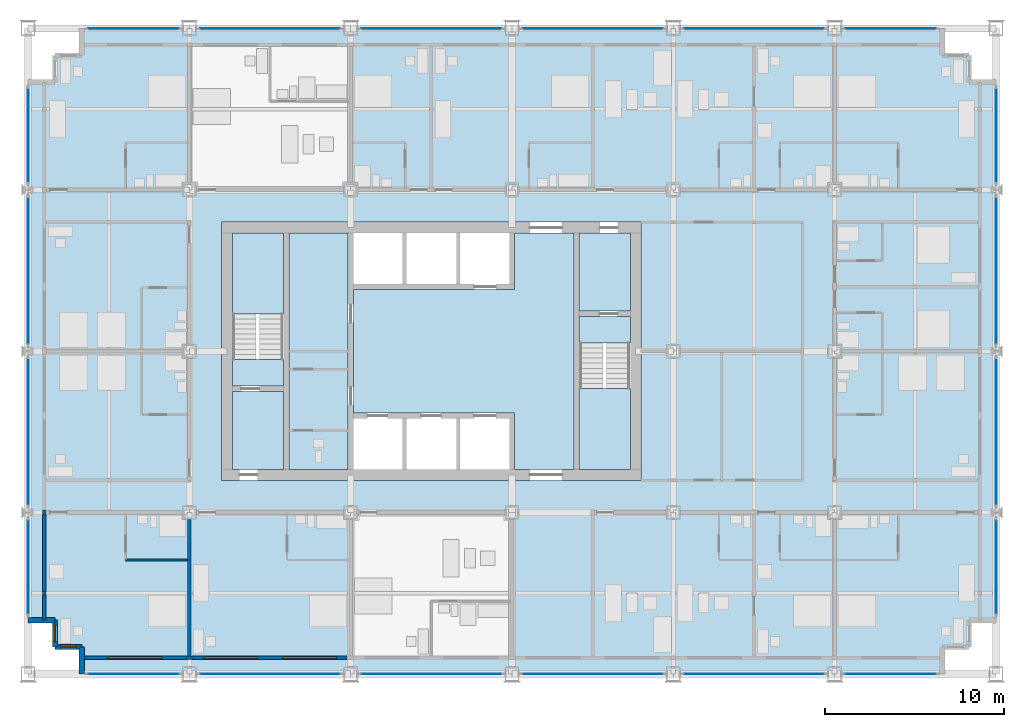
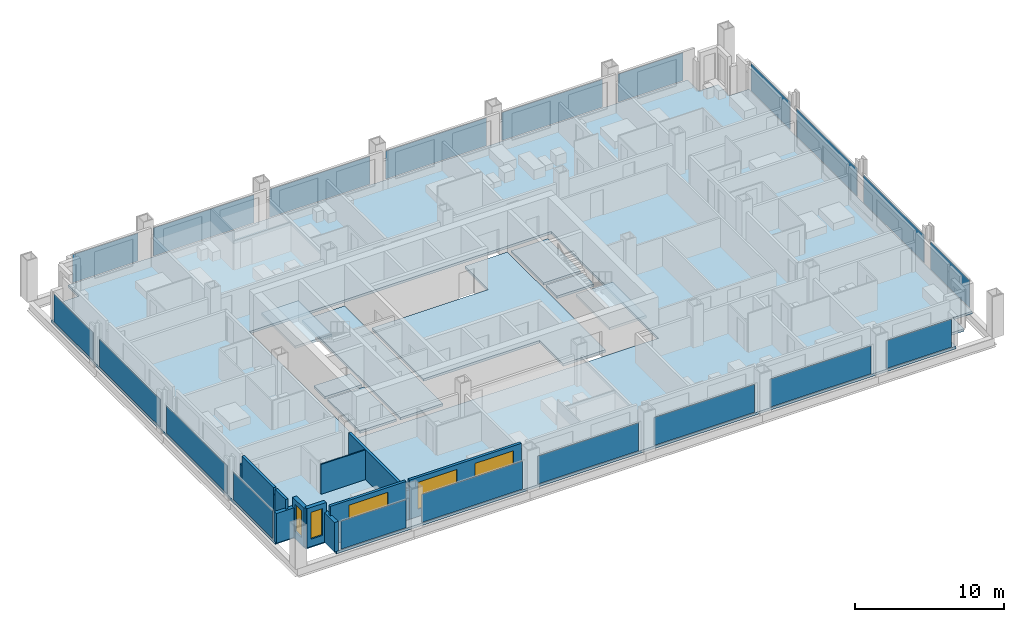
# One storey, part 9 of 18: 20 plates, 13 walls, 9 slabs, 5 windows, 5 openings, 22 elements without a shape of their own.
"""IFC4 building model written with IfcOpenShell, lengths in metres."""

from ifc_helpers import new_model, si_unit, direction, frame, frame_2d, origin, origin_2d, place, context, subcontext, project, spatial, polyline, rectangle, outline, extrude, material, layer, layer_set, type_object, element, fill, aggregate, save


model = new_model("IFC4")

# Units and contexts
model_context = context("Model", 3, precision=1e-05, world=origin(), true_north=direction((0.0, 1.0)))
body_context = subcontext(model_context, "Body", "Model", "MODEL_VIEW")
ifc_project = project(units=[si_unit("LENGTHUNIT", "METRE"), si_unit("AREAUNIT", "SQUARE_METRE"), si_unit("VOLUMEUNIT", "CUBIC_METRE"), si_unit("PLANEANGLEUNIT", "RADIAN"), si_unit("MASSUNIT", "GRAM", prefix="KILO")], contexts=[model_context])

# Site, building, storey
site_placement = place(None, origin())
site = spatial("IfcSite", under=ifc_project, at=site_placement, CompositionType="ELEMENT")
building_placement = place(site_placement, origin())
building = spatial("IfcBuilding", under=site, at=building_placement, Name="Loomwork Tower", CompositionType="ELEMENT")
storey_placement = place(building_placement, frame((0.0, 0.0, 79.0)))
storey = spatial("IfcBuildingStorey", under=building, at=storey_placement, Name="L20", CompositionType="ELEMENT", Elevation=79.0)

# Slabs
ifc_material_1 = material(Name="Concrete 5000 psi (34 MPa) on composite metal deck", Category="concrete")
ifc_layer_1 = layer(ifc_material_1, 0.199951171875)
ifc_layer_set_1 = layer_set([ifc_layer_1], Name="Floor slab 200")
slab_type_1 = type_object("IfcSlabType", Name="Floor slab 200", PredefinedType="FLOOR", material=ifc_layer_set_1)
slab_1_placement = place(storey_placement, frame((0.0, 0.0, -0.199951171875)))
element("IfcSlab", 1, at=slab_1_placement, inside=storey, type_object=slab_type_1, Name="Floor slab L20", PredefinedType="FLOOR", context=body_context, shape_type="SweptSolid", body=[
    extrude(outline(polyline([(3.0, 1.5), (1.5, 1.5), (1.5, 3.0), (0.0, 3.0), (0.0, 33.0), (1.5, 33.0), (1.5, 34.5), (3.0, 34.5), (3.0, 36.0), (51.0, 36.0), (51.0, 34.5), (52.5, 34.5), (52.5, 33.0), (54.0, 33.0), (54.0, 3.0), (52.5, 3.0), (52.5, 1.5), (51.0, 1.5), (51.0, 0.0), (3.0, 0.0), (3.0, 1.5)]), holes=[polyline([(10.800048828125, 11.39990234375), (10.800048828125, 11.39990234375), (10.800048828125, 10.800048828125), (34.199951171875, 10.800048828125), (34.199951171875, 11.39990234375), (34.199951171875, 11.39990234375), (34.199951171875, 24.60009765625), (34.199951171875, 25.199951171875), (10.800048828125, 25.199951171875), (10.800048828125, 24.60009765625), (10.800048828125, 11.39990234375)])]), origin(), (0.0, 0.0, 1.0), 0.199951171875),
])
slab_2_placement = place(storey_placement, frame((0.0, 0.0, -0.199951171875)))
element("IfcSlab", 2, at=slab_2_placement, inside=storey, type_object=slab_type_1, Name="Floor slab L20", PredefinedType="FLOOR", context=body_context, shape_type="SweptSolid", body=[
    extrude(outline(polyline([(30.449951171875, 24.60009765625), (30.449951171875, 11.39990234375), (27.14990234375, 11.39990234375), (27.14990234375, 14.25), (27.14990234375, 14.550048828125), (18.14990234375, 14.550048828125), (18.14990234375, 21.449951171875), (27.14990234375, 21.449951171875), (27.14990234375, 21.75), (27.14990234375, 24.60009765625), (30.449951171875, 24.60009765625)])), origin(), (0.0, 0.0, 1.0), 0.199951171875),
])
slab_3_placement = place(storey_placement, frame((0.0, 0.0, -0.199951171875)))
element("IfcSlab", 3, at=slab_3_placement, inside=storey, type_object=slab_type_1, Name="Floor slab L20", PredefinedType="FLOOR", context=body_context, shape_type="SweptSolid", body=[
    extrude(outline(polyline([(14.550048828125, 11.39990234375), (14.550048828125, 24.60009765625), (17.85009765625, 24.60009765625), (17.85009765625, 11.39990234375), (14.550048828125, 11.39990234375)])), origin(), (0.0, 0.0, 1.0), 0.199951171875),
])
slab_4_placement = place(storey_placement, frame((0.0, 0.0, -0.199951171875)))
element("IfcSlab", 4, at=slab_4_placement, inside=storey, type_object=slab_type_1, Name="Floor slab L20", PredefinedType="FLOOR", context=body_context, shape_type="SweptSolid", body=[
    extrude(outline(polyline([(33.60009765625, 20.25), (30.75, 20.25), (30.75, 24.60009765625), (33.60009765625, 24.60009765625), (33.60009765625, 20.25)])), origin(), (0.0, 0.0, 1.0), 0.199951171875),
])
slab_5_placement = place(storey_placement, frame((0.0, 0.0, -0.199951171875)))
element("IfcSlab", 5, at=slab_5_placement, inside=storey, type_object=slab_type_1, Name="Floor slab L20", PredefinedType="FLOOR", context=body_context, shape_type="SweptSolid", body=[
    extrude(outline(polyline([(14.25, 15.75), (14.25, 11.39990234375), (11.39990234375, 11.39990234375), (11.39990234375, 15.75), (14.25, 15.75)])), origin(), (0.0, 0.0, 1.0), 0.199951171875),
])

# Curtain wall, plate
ifc_material_2 = material(Name="Aluminium curtain wall frame", Category="aluminium")
curtain_wall_type = type_object("IfcCurtainWallType", Name="Outer skin glazing hotel", PredefinedType="NOTDEFINED", material=ifc_material_2)
curtain_wall_1_placement = place(storey_placement, origin())
curtain_wall_1 = element("IfcCurtainWall", 6, at=curtain_wall_1_placement, inside=storey, type_object=curtain_wall_type, Name="Outer skin glazing hotel cw/S-0", PredefinedType="NOTDEFINED")
ifc_material_3 = material(Name="Clear laminated glass", Category="glass")
ifc_layer_2 = layer(ifc_material_3, 0.02392578125)
ifc_layer_set_2 = layer_set([ifc_layer_2], Name="Outer skin glazing hotel panel")
plate_type = type_object("IfcPlateType", Name="Outer skin glazing hotel panel", PredefinedType="CURTAIN_PANEL", material=ifc_layer_set_2)
plate_1_placement = place(storey_placement, frame((5.875, 0.0, 0.06494140625), z_axis=(0.0, 0.0, 1.0), x_axis=(1.0, 0.0, 0.0)))
plate_1 = element("IfcPlate", 7, at=plate_1_placement, type_object=plate_type, Name="CW1 panel 1.1", PredefinedType="CURTAIN_PANEL", context=body_context, shape_type="SweptSolid", body=[
    extrude(rectangle(XDim=5.050048828125, YDim=0.02392578125, at=origin_2d()), origin(), (0.0, 0.0, 1.0), 2.290283203125),
])
aggregate(curtain_wall_1, [plate_1])

curtain_wall_2_placement = place(storey_placement, origin())
curtain_wall_2 = element("IfcCurtainWall", 8, at=curtain_wall_2_placement, inside=storey, type_object=curtain_wall_type, Name="Outer skin glazing hotel cw/S-9", PredefinedType="NOTDEFINED")
plate_2_placement = place(storey_placement, frame((13.5, 0.0, 0.06494140625), z_axis=(0.0, 0.0, 1.0), x_axis=(1.0, 0.0, 0.0)))
plate_2 = element("IfcPlate", 9, at=plate_2_placement, type_object=plate_type, Name="CW1 panel 1.1", PredefinedType="CURTAIN_PANEL", context=body_context, shape_type="SweptSolid", body=[
    extrude(rectangle(XDim=7.800048828125, YDim=0.02392578125, at=origin_2d()), origin(), (0.0, 0.0, 1.0), 2.290283203125),
])
aggregate(curtain_wall_2, [plate_2])

curtain_wall_3_placement = place(storey_placement, origin())
curtain_wall_3 = element("IfcCurtainWall", 10, at=curtain_wall_3_placement, inside=storey, type_object=curtain_wall_type, Name="Outer skin glazing hotel cw/S-18", PredefinedType="NOTDEFINED")
plate_3_placement = place(storey_placement, frame((22.5, 0.0, 0.06494140625), z_axis=(0.0, 0.0, 1.0), x_axis=(1.0, 0.0, 0.0)))
plate_3 = element("IfcPlate", 11, at=plate_3_placement, type_object=plate_type, Name="CW1 panel 1.1", PredefinedType="CURTAIN_PANEL", context=body_context, shape_type="SweptSolid", body=[
    extrude(rectangle(XDim=7.800048828125, YDim=0.02392578125, at=origin_2d()), origin(), (0.0, 0.0, 1.0), 2.290283203125),
])
aggregate(curtain_wall_3, [plate_3])

curtain_wall_4_placement = place(storey_placement, origin())
curtain_wall_4 = element("IfcCurtainWall", 12, at=curtain_wall_4_placement, inside=storey, type_object=curtain_wall_type, Name="Outer skin glazing hotel cw/S-27", PredefinedType="NOTDEFINED")
plate_4_placement = place(storey_placement, frame((31.5, 0.0, 0.06494140625), z_axis=(0.0, 0.0, 1.0), x_axis=(1.0, 0.0, 0.0)))
plate_4 = element("IfcPlate", 13, at=plate_4_placement, type_object=plate_type, Name="CW1 panel 1.1", PredefinedType="CURTAIN_PANEL", context=body_context, shape_type="SweptSolid", body=[
    extrude(rectangle(XDim=7.800048828125, YDim=0.02392578125, at=origin_2d()), origin(), (0.0, 0.0, 1.0), 2.290283203125),
])
aggregate(curtain_wall_4, [plate_4])

curtain_wall_5_placement = place(storey_placement, origin())
curtain_wall_5 = element("IfcCurtainWall", 14, at=curtain_wall_5_placement, inside=storey, type_object=curtain_wall_type, Name="Outer skin glazing hotel cw/S-36", PredefinedType="NOTDEFINED")
plate_5_placement = place(storey_placement, frame((40.5, 0.0, 0.06494140625), z_axis=(0.0, 0.0, 1.0), x_axis=(1.0, 0.0, 0.0)))
plate_5 = element("IfcPlate", 15, at=plate_5_placement, type_object=plate_type, Name="CW1 panel 1.1", PredefinedType="CURTAIN_PANEL", context=body_context, shape_type="SweptSolid", body=[
    extrude(rectangle(XDim=7.800048828125, YDim=0.02392578125, at=origin_2d()), origin(), (0.0, 0.0, 1.0), 2.290283203125),
])
aggregate(curtain_wall_5, [plate_5])

curtain_wall_6_placement = place(storey_placement, origin())
curtain_wall_6 = element("IfcCurtainWall", 16, at=curtain_wall_6_placement, inside=storey, type_object=curtain_wall_type, Name="Outer skin glazing hotel cw/S-45", PredefinedType="NOTDEFINED")
plate_6_placement = place(storey_placement, frame((48.125, 0.0, 0.06494140625), z_axis=(0.0, 0.0, 1.0), x_axis=(1.0, 0.0, 0.0)))
plate_6 = element("IfcPlate", 17, at=plate_6_placement, type_object=plate_type, Name="CW1 panel 1.1", PredefinedType="CURTAIN_PANEL", context=body_context, shape_type="SweptSolid", body=[
    extrude(rectangle(XDim=5.050048828125, YDim=0.02392578125, at=origin_2d()), origin(), (0.0, 0.0, 1.0), 2.290283203125),
])
aggregate(curtain_wall_6, [plate_6])

curtain_wall_7_placement = place(storey_placement, origin())
curtain_wall_7 = element("IfcCurtainWall", 18, at=curtain_wall_7_placement, inside=storey, type_object=curtain_wall_type, Name="Outer skin glazing hotel cw/N-0", PredefinedType="NOTDEFINED")
plate_7_placement = place(storey_placement, frame((5.875, 36.0, 0.06494140625), z_axis=(0.0, 0.0, 1.0), x_axis=(-1.0, 0.0, 0.0)))
plate_7 = element("IfcPlate", 19, at=plate_7_placement, type_object=plate_type, Name="CW1 panel 1.1", PredefinedType="CURTAIN_PANEL", context=body_context, shape_type="SweptSolid", body=[
    extrude(rectangle(XDim=5.050048828125, YDim=0.02392578125, at=origin_2d()), origin(), (0.0, 0.0, 1.0), 2.290283203125),
])
aggregate(curtain_wall_7, [plate_7])

curtain_wall_8_placement = place(storey_placement, origin())
curtain_wall_8 = element("IfcCurtainWall", 20, at=curtain_wall_8_placement, inside=storey, type_object=curtain_wall_type, Name="Outer skin glazing hotel cw/N-9", PredefinedType="NOTDEFINED")
plate_8_placement = place(storey_placement, frame((13.5, 36.0, 0.06494140625), z_axis=(0.0, 0.0, 1.0), x_axis=(-1.0, 0.0, 0.0)))
plate_8 = element("IfcPlate", 21, at=plate_8_placement, type_object=plate_type, Name="CW1 panel 1.1", PredefinedType="CURTAIN_PANEL", context=body_context, shape_type="SweptSolid", body=[
    extrude(rectangle(XDim=7.800048828125, YDim=0.02392578125, at=origin_2d()), origin(), (0.0, 0.0, 1.0), 2.290283203125),
])
aggregate(curtain_wall_8, [plate_8])

curtain_wall_9_placement = place(storey_placement, origin())
curtain_wall_9 = element("IfcCurtainWall", 22, at=curtain_wall_9_placement, inside=storey, type_object=curtain_wall_type, Name="Outer skin glazing hotel cw/N-18", PredefinedType="NOTDEFINED")
plate_9_placement = place(storey_placement, frame((22.5, 36.0, 0.06494140625), z_axis=(0.0, 0.0, 1.0), x_axis=(-1.0, 0.0, 0.0)))
plate_9 = element("IfcPlate", 23, at=plate_9_placement, type_object=plate_type, Name="CW1 panel 1.1", PredefinedType="CURTAIN_PANEL", context=body_context, shape_type="SweptSolid", body=[
    extrude(rectangle(XDim=7.800048828125, YDim=0.02392578125, at=origin_2d()), origin(), (0.0, 0.0, 1.0), 2.290283203125),
])
aggregate(curtain_wall_9, [plate_9])

curtain_wall_10_placement = place(storey_placement, origin())
curtain_wall_10 = element("IfcCurtainWall", 24, at=curtain_wall_10_placement, inside=storey, type_object=curtain_wall_type, Name="Outer skin glazing hotel cw/N-27", PredefinedType="NOTDEFINED")
plate_10_placement = place(storey_placement, frame((31.5, 36.0, 0.06494140625), z_axis=(0.0, 0.0, 1.0), x_axis=(-1.0, 0.0, 0.0)))
plate_10 = element("IfcPlate", 25, at=plate_10_placement, type_object=plate_type, Name="CW1 panel 1.1", PredefinedType="CURTAIN_PANEL", context=body_context, shape_type="SweptSolid", body=[
    extrude(rectangle(XDim=7.800048828125, YDim=0.02392578125, at=origin_2d()), origin(), (0.0, 0.0, 1.0), 2.290283203125),
])
aggregate(curtain_wall_10, [plate_10])

curtain_wall_11_placement = place(storey_placement, origin())
curtain_wall_11 = element("IfcCurtainWall", 26, at=curtain_wall_11_placement, inside=storey, type_object=curtain_wall_type, Name="Outer skin glazing hotel cw/N-36", PredefinedType="NOTDEFINED")
plate_11_placement = place(storey_placement, frame((40.5, 36.0, 0.06494140625), z_axis=(0.0, 0.0, 1.0), x_axis=(-1.0, 0.0, 0.0)))
plate_11 = element("IfcPlate", 27, at=plate_11_placement, type_object=plate_type, Name="CW1 panel 1.1", PredefinedType="CURTAIN_PANEL", context=body_context, shape_type="SweptSolid", body=[
    extrude(rectangle(XDim=7.800048828125, YDim=0.02392578125, at=origin_2d()), origin(), (0.0, 0.0, 1.0), 2.290283203125),
])
aggregate(curtain_wall_11, [plate_11])

curtain_wall_12_placement = place(storey_placement, origin())
curtain_wall_12 = element("IfcCurtainWall", 28, at=curtain_wall_12_placement, inside=storey, type_object=curtain_wall_type, Name="Outer skin glazing hotel cw/N-45", PredefinedType="NOTDEFINED")
plate_12_placement = place(storey_placement, frame((48.125, 36.0, 0.06494140625), z_axis=(0.0, 0.0, 1.0), x_axis=(-1.0, 0.0, 0.0)))
plate_12 = element("IfcPlate", 29, at=plate_12_placement, type_object=plate_type, Name="CW1 panel 1.1", PredefinedType="CURTAIN_PANEL", context=body_context, shape_type="SweptSolid", body=[
    extrude(rectangle(XDim=5.050048828125, YDim=0.02392578125, at=origin_2d()), origin(), (0.0, 0.0, 1.0), 2.290283203125),
])
aggregate(curtain_wall_12, [plate_12])

curtain_wall_13_placement = place(storey_placement, origin())
curtain_wall_13 = element("IfcCurtainWall", 30, at=curtain_wall_13_placement, inside=storey, type_object=curtain_wall_type, Name="Outer skin glazing hotel cw/W-0", PredefinedType="NOTDEFINED")
plate_13_placement = place(storey_placement, frame((0.0, 5.96142578125, 0.06494140625), z_axis=(0.0, 0.0, 1.0), x_axis=(0.0, -1.0, 0.0)))
plate_13 = element("IfcPlate", 31, at=plate_13_placement, type_object=plate_type, Name="CW1 panel 1.1", PredefinedType="CURTAIN_PANEL", context=body_context, shape_type="SweptSolid", body=[
    extrude(rectangle(XDim=5.22265625, YDim=0.02392578125, at=origin_2d()), origin(), (0.0, 0.0, 1.0), 2.290283203125),
])
aggregate(curtain_wall_13, [plate_13])

curtain_wall_14_placement = place(storey_placement, origin())
curtain_wall_14 = element("IfcCurtainWall", 32, at=curtain_wall_14_placement, inside=storey, type_object=curtain_wall_type, Name="Outer skin glazing hotel cw/W-9", PredefinedType="NOTDEFINED")
plate_14_placement = place(storey_placement, frame((0.0, 13.5, 0.06494140625), z_axis=(0.0, 0.0, 1.0), x_axis=(0.0, -1.0, 0.0)))
plate_14 = element("IfcPlate", 33, at=plate_14_placement, type_object=plate_type, Name="CW1 panel 1.1", PredefinedType="CURTAIN_PANEL", context=body_context, shape_type="SweptSolid", body=[
    extrude(rectangle(XDim=8.1455078125, YDim=0.02392578125, at=origin_2d()), origin(), (0.0, 0.0, 1.0), 2.290283203125),
])
aggregate(curtain_wall_14, [plate_14])

curtain_wall_15_placement = place(storey_placement, origin())
curtain_wall_15 = element("IfcCurtainWall", 34, at=curtain_wall_15_placement, inside=storey, type_object=curtain_wall_type, Name="Outer skin glazing hotel cw/W-18", PredefinedType="NOTDEFINED")
plate_15_placement = place(storey_placement, frame((0.0, 22.5, 0.06494140625), z_axis=(0.0, 0.0, 1.0), x_axis=(0.0, -1.0, 0.0)))
plate_15 = element("IfcPlate", 35, at=plate_15_placement, type_object=plate_type, Name="CW1 panel 1.1", PredefinedType="CURTAIN_PANEL", context=body_context, shape_type="SweptSolid", body=[
    extrude(rectangle(XDim=8.1455078125, YDim=0.02392578125, at=origin_2d()), origin(), (0.0, 0.0, 1.0), 2.290283203125),
])
aggregate(curtain_wall_15, [plate_15])

curtain_wall_16_placement = place(storey_placement, origin())
curtain_wall_16 = element("IfcCurtainWall", 36, at=curtain_wall_16_placement, inside=storey, type_object=curtain_wall_type, Name="Outer skin glazing hotel cw/W-27", PredefinedType="NOTDEFINED")
plate_16_placement = place(storey_placement, frame((0.0, 30.03857421875, 0.06494140625), z_axis=(0.0, 0.0, 1.0), x_axis=(0.0, -1.0, 0.0)))
plate_16 = element("IfcPlate", 37, at=plate_16_placement, type_object=plate_type, Name="CW1 panel 1.1", PredefinedType="CURTAIN_PANEL", context=body_context, shape_type="SweptSolid", body=[
    extrude(rectangle(XDim=5.22265625, YDim=0.02392578125, at=origin_2d()), origin(), (0.0, 0.0, 1.0), 2.290283203125),
])
aggregate(curtain_wall_16, [plate_16])

curtain_wall_17_placement = place(storey_placement, origin())
curtain_wall_17 = element("IfcCurtainWall", 38, at=curtain_wall_17_placement, inside=storey, type_object=curtain_wall_type, Name="Outer skin glazing hotel cw/E-0", PredefinedType="NOTDEFINED")
plate_17_placement = place(storey_placement, frame((54.0, 5.96142578125, 0.06494140625), z_axis=(0.0, 0.0, 1.0), x_axis=(0.0, 1.0, 0.0)))
plate_17 = element("IfcPlate", 39, at=plate_17_placement, type_object=plate_type, Name="CW1 panel 1.1", PredefinedType="CURTAIN_PANEL", context=body_context, shape_type="SweptSolid", body=[
    extrude(rectangle(XDim=5.22265625, YDim=0.02392578125, at=origin_2d()), origin(), (0.0, 0.0, 1.0), 2.290283203125),
])
aggregate(curtain_wall_17, [plate_17])

curtain_wall_18_placement = place(storey_placement, origin())
curtain_wall_18 = element("IfcCurtainWall", 40, at=curtain_wall_18_placement, inside=storey, type_object=curtain_wall_type, Name="Outer skin glazing hotel cw/E-9", PredefinedType="NOTDEFINED")
plate_18_placement = place(storey_placement, frame((54.0, 13.5, 0.06494140625), z_axis=(0.0, 0.0, 1.0), x_axis=(0.0, 1.0, 0.0)))
plate_18 = element("IfcPlate", 41, at=plate_18_placement, type_object=plate_type, Name="CW1 panel 1.1", PredefinedType="CURTAIN_PANEL", context=body_context, shape_type="SweptSolid", body=[
    extrude(rectangle(XDim=8.1455078125, YDim=0.02392578125, at=origin_2d()), origin(), (0.0, 0.0, 1.0), 2.290283203125),
])
aggregate(curtain_wall_18, [plate_18])

curtain_wall_19_placement = place(storey_placement, origin())
curtain_wall_19 = element("IfcCurtainWall", 42, at=curtain_wall_19_placement, inside=storey, type_object=curtain_wall_type, Name="Outer skin glazing hotel cw/E-18", PredefinedType="NOTDEFINED")
plate_19_placement = place(storey_placement, frame((54.0, 22.5, 0.06494140625), z_axis=(0.0, 0.0, 1.0), x_axis=(0.0, 1.0, 0.0)))
plate_19 = element("IfcPlate", 43, at=plate_19_placement, type_object=plate_type, Name="CW1 panel 1.1", PredefinedType="CURTAIN_PANEL", context=body_context, shape_type="SweptSolid", body=[
    extrude(rectangle(XDim=8.1455078125, YDim=0.02392578125, at=origin_2d()), origin(), (0.0, 0.0, 1.0), 2.290283203125),
])
aggregate(curtain_wall_19, [plate_19])

curtain_wall_20_placement = place(storey_placement, origin())
curtain_wall_20 = element("IfcCurtainWall", 44, at=curtain_wall_20_placement, inside=storey, type_object=curtain_wall_type, Name="Outer skin glazing hotel cw/E-27", PredefinedType="NOTDEFINED")
plate_20_placement = place(storey_placement, frame((54.0, 30.03857421875, 0.06494140625), z_axis=(0.0, 0.0, 1.0), x_axis=(0.0, 1.0, 0.0)))
plate_20 = element("IfcPlate", 45, at=plate_20_placement, type_object=plate_type, Name="CW1 panel 1.1", PredefinedType="CURTAIN_PANEL", context=body_context, shape_type="SweptSolid", body=[
    extrude(rectangle(XDim=5.22265625, YDim=0.02392578125, at=origin_2d()), origin(), (0.0, 0.0, 1.0), 2.290283203125),
])
aggregate(curtain_wall_20, [plate_20])

# Stair, slabs
ifc_material_4 = material(Name="Concrete 5000 psi (34 MPa) precast stair", Category="concrete")
stair_type_1 = type_object("IfcStairType", Name="Stair ST-A 20 risers 2850 wide", PredefinedType="HALF_TURN_STAIR", material=ifc_material_4)
stair_1_placement = place(storey_placement, origin())
stair_1 = element("IfcStair", 46, at=stair_1_placement, inside=storey, type_object=stair_type_1, Name="Stair A L20", PredefinedType="HALF_TURN_STAIR")
ifc_material_5 = material(Name="Concrete 5000 psi (34 MPa)", Category="concrete")
ifc_layer_3 = layer(ifc_material_5, 0.199951171875)
ifc_layer_set_3 = layer_set([ifc_layer_3], Name="Stair landing 200")
slab_type_2 = type_object("IfcSlabType", Name="Stair landing 200", PredefinedType="LANDING", material=ifc_layer_set_3)
slab_6_placement = place(storey_placement, frame((0.0, 0.0, -0.199951171875)))
slab_6 = element("IfcSlab", 47, at=slab_6_placement, type_object=slab_type_2, Name="ST-A landing 1", PredefinedType="LANDING", context=body_context, shape_type="SweptSolid", body=[
    extrude(outline(polyline([(11.39990234375, 16.050048828125), (14.25, 16.050048828125), (14.25, 17.550048828125), (11.39990234375, 17.550048828125), (11.39990234375, 16.050048828125)])), origin(), (0.0, 0.0, 1.0), 0.199951171875),
])
slab_7_placement = place(storey_placement, frame((0.0, 0.0, 1.5)))
slab_7 = element("IfcSlab", 48, at=slab_7_placement, type_object=slab_type_2, Name="ST-A landing 2", PredefinedType="LANDING", context=body_context, shape_type="SweptSolid", body=[
    extrude(outline(polyline([(11.39990234375, 20.070068359375), (14.25, 20.070068359375), (14.25, 24.60009765625), (11.39990234375, 24.60009765625), (11.39990234375, 20.070068359375)])), origin(), (0.0, 0.0, 1.0), 0.199951171875),
])
aggregate(stair_1, [slab_6, slab_7])

ifc_material_6 = material(Name="Concrete 5000 psi (34 MPa) precast stair", Category="concrete")
stair_type_2 = type_object("IfcStairType", Name="Stair ST-B 20 risers 2850 wide", PredefinedType="HALF_TURN_STAIR", material=ifc_material_6)
stair_2_placement = place(storey_placement, origin())
stair_2 = element("IfcStair", 49, at=stair_2_placement, inside=storey, type_object=stair_type_2, Name="Stair B L20", PredefinedType="HALF_TURN_STAIR")
slab_8_placement = place(storey_placement, frame((0.0, 0.0, -0.199951171875)))
slab_8 = element("IfcSlab", 50, at=slab_8_placement, type_object=slab_type_2, Name="ST-B landing 1", PredefinedType="LANDING", context=body_context, shape_type="SweptSolid", body=[
    extrude(outline(polyline([(30.75, 18.449951171875), (33.60009765625, 18.449951171875), (33.60009765625, 19.949951171875), (30.75, 19.949951171875), (30.75, 18.449951171875)])), origin(), (0.0, 0.0, 1.0), 0.199951171875),
])
slab_9_placement = place(storey_placement, frame((0.0, 0.0, 1.5)))
slab_9 = element("IfcSlab", 51, at=slab_9_placement, type_object=slab_type_2, Name="ST-B landing 2", PredefinedType="LANDING", context=body_context, shape_type="SweptSolid", body=[
    extrude(outline(polyline([(30.75, 11.39990234375), (33.60009765625, 11.39990234375), (33.60009765625, 15.929931640625), (30.75, 15.929931640625), (30.75, 11.39990234375)])), origin(), (0.0, 0.0, 1.0), 0.199951171875),
])
aggregate(stair_2, [slab_8, slab_9])

# Walls
ifc_material_7 = material(Name="Cement board on steel studs", Category="steel")
ifc_layer_4 = layer(ifc_material_7, 0.10009765625)
ifc_layer_set_4 = layer_set([ifc_layer_4], Name="En-suite partition 100")
wall_type_1 = type_object("IfcWallType", Name="En-suite partition 100", PredefinedType="PARTITIONING", material=ifc_layer_set_4)
wall_1_placement = place(storey_placement, frame((5.449951171875, 6.35009765625, 0.0), z_axis=(0.0, 0.0, 1.0), x_axis=(1.0, 0.0, 0.0)))
element("IfcWall", 52, at=wall_1_placement, inside=storey, type_object=wall_type_1, Name="En-suite wall L20 room 1", PredefinedType="PARTITIONING", context=body_context, shape_type="SweptSolid", body=[
    extrude(rectangle(XDim=3.449951171875, YDim=0.10009765625, at=frame_2d((1.72509765625, 0.0))), origin(), (0.0, 0.0, 1.0), 2.43798828125),
])
ifc_material_8 = material(Name="Gypsum board on steel studs, acoustic", Category="steel")
ifc_layer_5 = layer(ifc_material_8, 0.199951171875)
ifc_layer_set_5 = layer_set([ifc_layer_5], Name="Guest room party wall 200")
wall_type_2 = type_object("IfcWallType", Name="Guest room party wall 200", PredefinedType="PARTITIONING", material=ifc_layer_set_5)
wall_2_placement = place(storey_placement, frame((9.0, 8.60009765625, 0.0), z_axis=(0.0, 0.0, 1.0), x_axis=(0.0, -1.0, 0.0)))
element("IfcWall", 53, at=wall_2_placement, inside=storey, type_object=wall_type_2, Name="Guest room party wall S 9", PredefinedType="PARTITIONING", context=body_context, shape_type="SweptSolid", body=[
    extrude(rectangle(XDim=7.60009765625, YDim=0.199951171875, at=frame_2d((3.800048828125, 0.0))), origin(), (0.0, 0.0, 1.0), 2.43798828125),
])

# Wall, opening, window
ifc_material_9 = material(Name="Insulated steel stud wall with gypsum lining", Category="steel")
ifc_layer_6 = layer(ifc_material_9, 0.199951171875)
ifc_layer_set_6 = layer_set([ifc_layer_6], Name="Inner skin wall 200")
wall_type_3 = type_object("IfcWallType", Name="Inner skin wall 200", PredefinedType="SOLIDWALL", material=ifc_layer_set_6)
wall_3_placement = place(storey_placement, frame((3.0, 0.89990234375, 0.0), z_axis=(0.0, 0.0, 1.0), x_axis=(1.0, 0.0, 0.0)))
wall_3 = element("IfcWall", 54, at=wall_3_placement, inside=storey, type_object=wall_type_3, Name="Inner skin wall S", PredefinedType="SOLIDWALL", context=body_context, shape_type="SweptSolid", body=[
    extrude(rectangle(XDim=5.86474609375, YDim=0.199951171875, at=frame_2d((2.932373046875, 0.0))), origin(), (0.0, 0.0, 1.0), 3.199951171875),
])
opening_1_placement = place(wall_3_placement, frame((1.449951171875, 0.0, 0.60009765625)))
opening_1 = element("IfcOpeningElement", 55, at=opening_1_placement, cuts=wall_3, Name="Opening CH1", PredefinedType="OPENING", context=body_context, shape_type="SweptSolid", body=[
    extrude(rectangle(XDim=3.0, YDim=2.199951171875, at=frame_2d((1.5, 1.10009765625))), frame((0.0, 0.10986328125, 0.0), z_axis=(0.0, -1.0, 0.0), x_axis=(1.0, 0.0, 0.0)), (0.0, 0.0, 1.0), 0.219970703125),
])
ifc_material_10 = material(Name="Aluminium frame with clear insulated glass", Category="aluminium")
window_type_1 = type_object("IfcWindowType", Name="Chicago window 3000", PartitioningType="TRIPLE_PANEL_VERTICAL", PredefinedType="WINDOW", material=ifc_material_10)
window_1_placement = place(opening_1_placement, origin())
window_1 = element("IfcWindow", 56, at=window_1_placement, inside=storey, type_object=window_type_1, Name="Chicago window L20 bay 1", OverallHeight=2.199951171875, OverallWidth=3.0, PartitioningType="TRIPLE_PANEL_VERTICAL", PredefinedType="WINDOW", context=body_context, shape_type="SweptSolid", body=[
    extrude(rectangle(XDim=3.0, YDim=2.199951171875, at=frame_2d((1.5, 1.10009765625))), frame((0.0, 0.030029296875, 0.0), z_axis=(0.0, -1.0, 0.0), x_axis=(1.0, 0.0, 0.0)), (0.0, 0.0, 1.0), 0.06005859375),
])
fill(opening_1, window_1)

# Walls
wall_4_placement = place(storey_placement, frame((0.89990234375, 3.0, 0.0), z_axis=(0.0, 0.0, 1.0), x_axis=(0.0, 1.0, 0.0)))
element("IfcWall", 57, at=wall_4_placement, inside=storey, type_object=wall_type_3, Name="Inner skin wall W", PredefinedType="SOLIDWALL", context=body_context, shape_type="SweptSolid", body=[
    extrude(rectangle(XDim=1.392578125, YDim=0.199951171875, at=frame_2d((0.6962890625, 0.0))), origin(), (0.0, 0.0, 1.0), 3.199951171875),
])
wall_5_placement = place(storey_placement, frame((8.86474609375, 0.89990234375, 0.0), z_axis=(0.0, 0.0, 1.0), x_axis=(1.0, 0.0, 0.0)))
element("IfcWall", 58, at=wall_5_placement, inside=storey, type_object=wall_type_3, Name="Inner skin wall S bay 2", PredefinedType="SOLIDWALL", context=body_context, shape_type="SweptSolid", body=[
    extrude(rectangle(XDim=0.2705078125, YDim=0.199951171875, at=frame_2d((0.13525390625, 0.0))), origin(), (0.0, 0.0, 1.0), 2.43798828125),
])

# Wall, openings, windows
wall_6_placement = place(storey_placement, frame((9.13525390625, 0.89990234375, 0.0), z_axis=(0.0, 0.0, 1.0), x_axis=(1.0, 0.0, 0.0)))
wall_6 = element("IfcWall", 59, at=wall_6_placement, inside=storey, type_object=wall_type_3, Name="Inner skin wall S bay 3", PredefinedType="SOLIDWALL", context=body_context, shape_type="SweptSolid", body=[
    extrude(rectangle(XDim=8.6708984375, YDim=0.199951171875, at=frame_2d((4.33544921875, 0.0))), origin(), (0.0, 0.0, 1.0), 3.199951171875),
])
opening_2_placement = place(wall_6_placement, frame((0.664794921875, 0.0, 0.60009765625)))
opening_2 = element("IfcOpeningElement", 60, at=opening_2_placement, cuts=wall_6, Name="Opening CH1", PredefinedType="OPENING", context=body_context, shape_type="SweptSolid", body=[
    extrude(rectangle(XDim=3.0, YDim=2.199951171875, at=frame_2d((1.5, 1.10009765625))), frame((0.0, 0.10986328125, 0.0), z_axis=(0.0, -1.0, 0.0), x_axis=(1.0, 0.0, 0.0)), (0.0, 0.0, 1.0), 0.219970703125),
])
opening_3_placement = place(wall_6_placement, frame((5.064697265625, 0.0, 0.60009765625)))
opening_3 = element("IfcOpeningElement", 61, at=opening_3_placement, cuts=wall_6, Name="Opening CH1", PredefinedType="OPENING", context=body_context, shape_type="SweptSolid", body=[
    extrude(rectangle(XDim=3.0, YDim=2.199951171875, at=frame_2d((1.5, 1.10009765625))), frame((0.0, 0.10986328125, 0.0), z_axis=(0.0, -1.0, 0.0), x_axis=(1.0, 0.0, 0.0)), (0.0, 0.0, 1.0), 0.219970703125),
])
window_2_placement = place(opening_2_placement, origin())
window_2 = element("IfcWindow", 62, at=window_2_placement, inside=storey, type_object=window_type_1, Name="Chicago window L20 bay 2", OverallHeight=2.199951171875, OverallWidth=3.0, PartitioningType="TRIPLE_PANEL_VERTICAL", PredefinedType="WINDOW", context=body_context, shape_type="SweptSolid", body=[
    extrude(rectangle(XDim=3.0, YDim=2.199951171875, at=frame_2d((1.5, 1.10009765625))), frame((0.0, 0.030029296875, 0.0), z_axis=(0.0, -1.0, 0.0), x_axis=(1.0, 0.0, 0.0)), (0.0, 0.0, 1.0), 0.06005859375),
])
fill(opening_2, window_2)
window_3_placement = place(opening_3_placement, origin())
window_3 = element("IfcWindow", 63, at=window_3_placement, inside=storey, type_object=window_type_1, Name="Chicago window L20 bay 2", OverallHeight=2.199951171875, OverallWidth=3.0, PartitioningType="TRIPLE_PANEL_VERTICAL", PredefinedType="WINDOW", context=body_context, shape_type="SweptSolid", body=[
    extrude(rectangle(XDim=3.0, YDim=2.199951171875, at=frame_2d((1.5, 1.10009765625))), frame((0.0, 0.030029296875, 0.0), z_axis=(0.0, -1.0, 0.0), x_axis=(1.0, 0.0, 0.0)), (0.0, 0.0, 1.0), 0.06005859375),
])
fill(opening_3, window_3)

# Walls
wall_7_placement = place(storey_placement, frame((0.89990234375, 4.392578125, 0.0), z_axis=(0.0, 0.0, 1.0), x_axis=(0.0, 1.0, 0.0)))
element("IfcWall", 64, at=wall_7_placement, inside=storey, type_object=wall_type_3, Name="Inner skin wall W bay 2", PredefinedType="SOLIDWALL", context=body_context, shape_type="SweptSolid", body=[
    extrude(rectangle(XDim=0.21484375, YDim=0.199951171875, at=frame_2d((0.107421875, 0.0))), origin(), (0.0, 0.0, 1.0), 2.660888671875),
])
wall_8_placement = place(storey_placement, frame((0.89990234375, 4.607421875, 0.0), z_axis=(0.0, 0.0, 1.0), x_axis=(0.0, 1.0, 0.0)))
element("IfcWall", 65, at=wall_8_placement, inside=storey, type_object=wall_type_3, Name="Inner skin wall W bay 3", PredefinedType="SOLIDWALL", context=body_context, shape_type="SweptSolid", body=[
    extrude(rectangle(XDim=4.25732421875, YDim=0.199951171875, at=frame_2d((2.128662109375, 0.0))), origin(), (0.0, 0.0, 1.0), 3.199951171875),
])
wall_9_placement = place(storey_placement, frame((0.89990234375, 8.86474609375, 0.0), z_axis=(0.0, 0.0, 1.0), x_axis=(0.0, 1.0, 0.0)))
element("IfcWall", 66, at=wall_9_placement, inside=storey, type_object=wall_type_3, Name="Inner skin wall W bay 4", PredefinedType="SOLIDWALL", context=body_context, shape_type="SweptSolid", body=[
    extrude(rectangle(XDim=0.2705078125, YDim=0.199951171875, at=frame_2d((0.13525390625, 0.0))), origin(), (0.0, 0.0, 1.0), 2.43798828125),
])
ifc_material_11 = material(Name="Limestone on concrete masonry", Category="masonry")
ifc_layer_7 = layer(ifc_material_11, 0.300048828125)
ifc_layer_set_7 = layer_set([ifc_layer_7], Name="Limestone corner wall 300")
wall_type_4 = type_object("IfcWallType", Name="Limestone corner wall 300", PredefinedType="SOLIDWALL", material=ifc_layer_set_7)
wall_10_placement = place(storey_placement, frame((0.0, 3.0, 0.0), z_axis=(0.0, 0.0, 1.0), x_axis=(1.0, 0.0, 0.0)))
element("IfcWall", 67, at=wall_10_placement, inside=storey, type_object=wall_type_4, Name="Stone corner wall SW 1", PredefinedType="SOLIDWALL", context=body_context, shape_type="SweptSolid", body=[
    extrude(rectangle(XDim=1.5, YDim=0.300048828125, at=frame_2d((0.75, 0.0))), origin(), (0.0, 0.0, 1.0), 2.419921875),
])

# Wall, opening, window
wall_11_placement = place(storey_placement, frame((1.5, 3.0, 0.0), z_axis=(0.0, 0.0, 1.0), x_axis=(0.0, -1.0, 0.0)))
wall_11 = element("IfcWall", 68, at=wall_11_placement, inside=storey, type_object=wall_type_4, Name="Stone corner wall SW 2", PredefinedType="SOLIDWALL", context=body_context, shape_type="SweptSolid", body=[
    extrude(rectangle(XDim=1.5, YDim=0.300048828125, at=frame_2d((0.75, 0.0))), origin(), (0.0, 0.0, 1.0), 3.199951171875),
])
opening_4_placement = place(wall_11_placement, frame((0.300048828125, 0.0, 0.60009765625)))
opening_4 = element("IfcOpeningElement", 69, at=opening_4_placement, cuts=wall_11, Name="Opening CH2", PredefinedType="OPENING", context=body_context, shape_type="SweptSolid", body=[
    extrude(rectangle(XDim=0.89990234375, YDim=2.199951171875, at=frame_2d((0.449951171875, 1.10009765625))), frame((0.0, 0.159912109375, 0.0), z_axis=(0.0, -1.0, 0.0), x_axis=(1.0, 0.0, 0.0)), (0.0, 0.0, 1.0), 0.320068359375),
])
ifc_material_12 = material(Name="Aluminium frame with clear insulated glass", Category="aluminium")
window_type_2 = type_object("IfcWindowType", Name="Corner window 900", PartitioningType="SINGLE_PANEL", PredefinedType="WINDOW", material=ifc_material_12)
window_4_placement = place(opening_4_placement, origin())
window_4 = element("IfcWindow", 70, at=window_4_placement, inside=storey, type_object=window_type_2, Name="Corner window SW", OverallHeight=2.199951171875, OverallWidth=0.89990234375, PartitioningType="SINGLE_PANEL", PredefinedType="WINDOW", context=body_context, shape_type="SweptSolid", body=[
    extrude(rectangle(XDim=0.89990234375, YDim=2.199951171875, at=frame_2d((0.449951171875, 1.10009765625))), frame((0.0, 0.030029296875, 0.0), z_axis=(0.0, -1.0, 0.0), x_axis=(1.0, 0.0, 0.0)), (0.0, 0.0, 1.0), 0.06005859375),
])
fill(opening_4, window_4)

wall_12_placement = place(storey_placement, frame((1.5, 1.5, 0.0), z_axis=(0.0, 0.0, 1.0), x_axis=(1.0, 0.0, 0.0)))
wall_12 = element("IfcWall", 71, at=wall_12_placement, inside=storey, type_object=wall_type_4, Name="Stone corner wall SW 3", PredefinedType="SOLIDWALL", context=body_context, shape_type="SweptSolid", body=[
    extrude(rectangle(XDim=1.5, YDim=0.300048828125, at=frame_2d((0.75, 0.0))), origin(), (0.0, 0.0, 1.0), 3.199951171875),
])
opening_5_placement = place(wall_12_placement, frame((0.300048828125, 0.0, 0.60009765625)))
opening_5 = element("IfcOpeningElement", 72, at=opening_5_placement, cuts=wall_12, Name="Opening CH2", PredefinedType="OPENING", context=body_context, shape_type="SweptSolid", body=[
    extrude(rectangle(XDim=0.89990234375, YDim=2.199951171875, at=frame_2d((0.449951171875, 1.10009765625))), frame((0.0, 0.159912109375, 0.0), z_axis=(0.0, -1.0, 0.0), x_axis=(1.0, 0.0, 0.0)), (0.0, 0.0, 1.0), 0.320068359375),
])
window_5_placement = place(opening_5_placement, origin())
window_5 = element("IfcWindow", 73, at=window_5_placement, inside=storey, type_object=window_type_2, Name="Corner window SW", OverallHeight=2.199951171875, OverallWidth=0.89990234375, PartitioningType="SINGLE_PANEL", PredefinedType="WINDOW", context=body_context, shape_type="SweptSolid", body=[
    extrude(rectangle(XDim=0.89990234375, YDim=2.199951171875, at=frame_2d((0.449951171875, 1.10009765625))), frame((0.0, 0.030029296875, 0.0), z_axis=(0.0, -1.0, 0.0), x_axis=(1.0, 0.0, 0.0)), (0.0, 0.0, 1.0), 0.06005859375),
])
fill(opening_5, window_5)

# Wall
wall_13_placement = place(storey_placement, frame((3.0, 1.5, 0.0), z_axis=(0.0, 0.0, 1.0), x_axis=(0.0, -1.0, 0.0)))
element("IfcWall", 74, at=wall_13_placement, inside=storey, type_object=wall_type_4, Name="Stone corner wall SW 4", PredefinedType="SOLIDWALL", context=body_context, shape_type="SweptSolid", body=[
    extrude(rectangle(XDim=1.5, YDim=0.300048828125, at=frame_2d((0.75, 0.0))), origin(), (0.0, 0.0, 1.0), 2.419921875),
])

save(model, "model.ifc")
